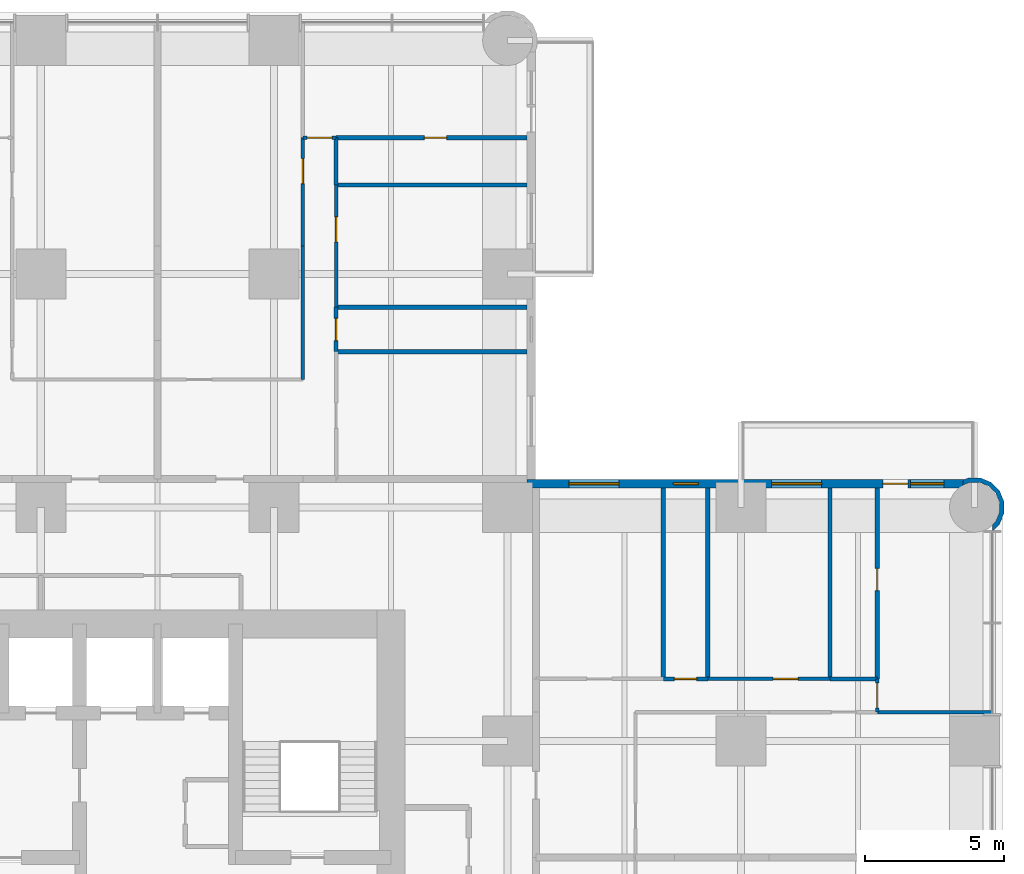
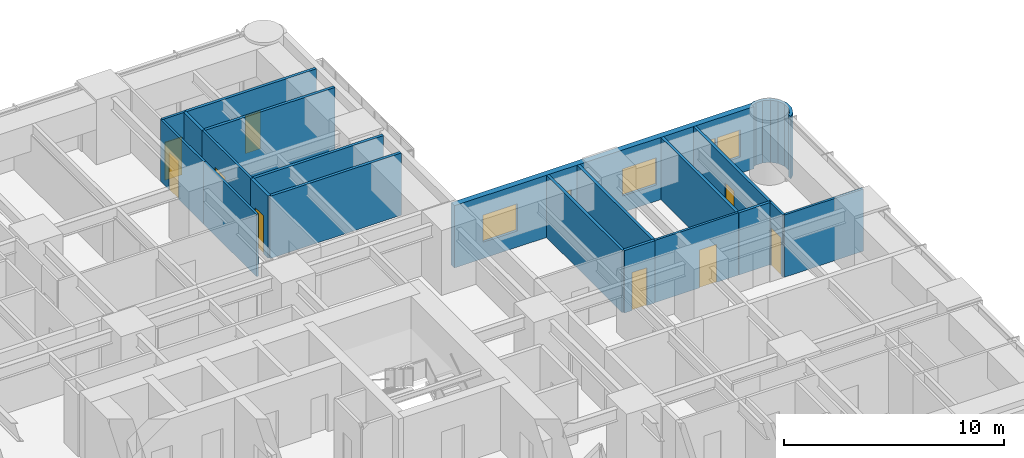
# One storey, part 14 of 17: 21 walls, 10 doors, 4 windows, 14 openings.
"""IFC4 building model written with IfcOpenShell, lengths in metres."""

from ifc_helpers import new_model, si_unit, direction, frame, frame_2d, origin, place, context, subcontext, project, spatial, polyline, rectangle, outline, extrude, material, layer, layer_set, type_object, element, fill, save


model = new_model("IFC4")

# Units and contexts
model_context = context("Model", 3, precision=1e-05, world=origin(), true_north=direction((0.0, 1.0)))
body_context = subcontext(model_context, "Body", "Model", "MODEL_VIEW")
ifc_project = project(units=[si_unit("LENGTHUNIT", "METRE"), si_unit("AREAUNIT", "SQUARE_METRE"), si_unit("VOLUMEUNIT", "CUBIC_METRE"), si_unit("PLANEANGLEUNIT", "RADIAN"), si_unit("MASSUNIT", "GRAM", prefix="KILO")], contexts=[model_context])

# Site, building, storey
site_placement = place(None, origin())
site = spatial("IfcSite", under=ifc_project, at=site_placement, CompositionType="ELEMENT")
building_placement = place(site_placement, origin())
building = spatial("IfcBuilding", under=site, at=building_placement, Name="Torre Alcanfor", CompositionType="ELEMENT")
storey_placement = place(building_placement, frame((0.0, 0.0, 81.300048828125)))
storey = spatial("IfcBuildingStorey", under=building, at=storey_placement, Name="L20", CompositionType="ELEMENT", Elevation=81.300048828125)

# Wall
ifc_material_1 = material(Name="Gypsum board on steel studs", Category="steel")
ifc_layer_1 = layer(ifc_material_1, 0.1201171875)
ifc_layer_set_1 = layer_set([ifc_layer_1], Name="Apartment partition 120")
wall_type_1 = type_object("IfcWallType", Name="Apartment partition 120", PredefinedType="PARTITIONING", material=ifc_layer_set_1)
wall_1_placement = place(storey_placement, frame((34.62890625, 51.39990234375, 0.0), z_axis=(0.0, 0.0, 1.0), x_axis=(0.0, -1.0, 0.0)))
element("IfcWall", 1, at=wall_1_placement, inside=storey, type_object=wall_type_1, Name="Partition L20-N2-KITCHEN / L20-N2-HALL", PredefinedType="PARTITIONING", context=body_context, shape_type="SweptSolid", body=[
    extrude(rectangle(XDim=4.7998046875, YDim=0.1201171875, at=frame_2d((2.39990234375, 0.0))), origin(), (0.0, 0.0, 1.0), 3.449951171875),
])

# Wall, opening, door
wall_2_placement = place(storey_placement, frame((34.62890625, 55.300048828125, 0.0), z_axis=(0.0, 0.0, 1.0), x_axis=(0.0, -1.0, 0.0)))
wall_2 = element("IfcWall", 2, at=wall_2_placement, inside=storey, type_object=wall_type_1, Name="Partition L20-N2-LIVING / L20-N2-HALL", PredefinedType="PARTITIONING", context=body_context, shape_type="SweptSolid", body=[
    extrude(rectangle(XDim=3.900146484375, YDim=0.1201171875, at=frame_2d((1.9501953125, 0.0))), origin(), (0.0, 0.0, 1.0), 3.449951171875),
])
opening_1_placement = place(wall_2_placement, frame((0.75, 0.0, 0.0)))
opening_1 = element("IfcOpeningElement", 3, at=opening_1_placement, cuts=wall_2, Name="Opening D-R1", PredefinedType="OPENING", context=body_context, shape_type="SweptSolid", body=[
    extrude(rectangle(XDim=0.89990234375, YDim=2.10009765625, at=frame_2d((0.449951171875, 1.050048828125))), frame((0.0, 0.070068359375, 0.0), z_axis=(0.0, -1.0, 0.0), x_axis=(1.0, 0.0, 0.0)), (0.0, 0.0, 1.0), 0.14013671875),
])
ifc_material_2 = material(Name="Timber", Category="wood")
door_type_1 = type_object("IfcDoorType", Name="Internal door 900x2100", OperationType="SINGLE_SWING_LEFT", PredefinedType="DOOR", material=ifc_material_2)
door_1_placement = place(opening_1_placement, frame((0.89990234375, 0.0, 0.0), z_axis=(0.0, 0.0, 1.0), x_axis=(-1.0, 0.0, 0.0)))
door_1 = element("IfcDoor", 4, at=door_1_placement, inside=storey, type_object=door_type_1, Name="Door L20-N2 living", OperationType="SINGLE_SWING_LEFT", OverallHeight=2.10009765625, OverallWidth=0.89990234375, PredefinedType="DOOR", context=body_context, shape_type="SweptSolid", body=[
    extrude(rectangle(XDim=0.89990234375, YDim=2.10009765625, at=frame_2d((0.449951171875, 1.050048828125))), frame((0.0, 0.025146484375, 0.0), z_axis=(0.0, -1.0, 0.0), x_axis=(1.0, 0.0, 0.0)), (0.0, 0.0, 1.0), 0.050048828125),
])
fill(opening_1, door_1)

wall_3_placement = place(storey_placement, frame((35.8291015625, 53.60009765625, 0.0), z_axis=(0.0, 0.0, 1.0), x_axis=(0.0, -1.0, 0.0)))
wall_3 = element("IfcWall", 5, at=wall_3_placement, inside=storey, type_object=wall_type_1, Name="Partition L20-N2-HALL / L20-N2-BED2", PredefinedType="PARTITIONING", context=body_context, shape_type="SweptSolid", body=[
    extrude(rectangle(XDim=4.400146484375, YDim=0.1201171875, at=frame_2d((2.2001953125, 0.0))), origin(), (0.0, 0.0, 1.0), 3.449951171875),
])
opening_2_placement = place(wall_3_placement, frame((1.14990234375, 0.0, 0.0)))
opening_2 = element("IfcOpeningElement", 6, at=opening_2_placement, cuts=wall_3, Name="Opening D-R1", PredefinedType="OPENING", context=body_context, shape_type="SweptSolid", body=[
    extrude(rectangle(XDim=0.89990234375, YDim=2.10009765625, at=frame_2d((0.449951171875, 1.050048828125))), frame((0.0, 0.070068359375, 0.0), z_axis=(0.0, -1.0, 0.0), x_axis=(1.0, 0.0, 0.0)), (0.0, 0.0, 1.0), 0.14013671875),
])
door_2_placement = place(opening_2_placement, origin())
door_2 = element("IfcDoor", 7, at=door_2_placement, inside=storey, type_object=door_type_1, Name="Door L20-N2 bed2", OperationType="SINGLE_SWING_LEFT", OverallHeight=2.10009765625, OverallWidth=0.89990234375, PredefinedType="DOOR", context=body_context, shape_type="SweptSolid", body=[
    extrude(rectangle(XDim=0.89990234375, YDim=2.10009765625, at=frame_2d((0.449951171875, 1.050048828125))), frame((0.0, 0.02490234375, 0.0), z_axis=(0.0, -1.0, 0.0), x_axis=(1.0, 0.0, 0.0)), (0.0, 0.0, 1.0), 0.050048828125),
])
fill(opening_2, door_2)

wall_4_placement = place(storey_placement, frame((34.62890625, 55.300048828125, 0.0), z_axis=(0.0, 0.0, 1.0), x_axis=(1.0, 0.0, 0.0)))
wall_4 = element("IfcWall", 8, at=wall_4_placement, inside=storey, type_object=wall_type_1, Name="Partition L20-N2-HALL / L20-N2-MASTER", PredefinedType="PARTITIONING", context=body_context, shape_type="SweptSolid", body=[
    extrude(rectangle(XDim=1.2001953125, YDim=0.1201171875, at=frame_2d((0.60009765625, 0.0))), origin(), (0.0, 0.0, 1.0), 3.449951171875),
])
opening_3_placement = place(wall_4_placement, frame((0.15087890625, 0.0, 0.0)))
opening_3 = element("IfcOpeningElement", 9, at=opening_3_placement, cuts=wall_4, Name="Opening D-R1", PredefinedType="OPENING", context=body_context, shape_type="SweptSolid", body=[
    extrude(rectangle(XDim=0.89990234375, YDim=2.10009765625, at=frame_2d((0.449951171875, 1.050048828125))), frame((0.0, 0.070068359375, 0.0), z_axis=(0.0, -1.0, 0.0), x_axis=(1.0, 0.0, 0.0)), (0.0, 0.0, 1.0), 0.14013671875),
])
door_3_placement = place(opening_3_placement, origin())
door_3 = element("IfcDoor", 10, at=door_3_placement, inside=storey, type_object=door_type_1, Name="Door L20-N2 master", OperationType="SINGLE_SWING_LEFT", OverallHeight=2.10009765625, OverallWidth=0.89990234375, PredefinedType="DOOR", context=body_context, shape_type="SweptSolid", body=[
    extrude(rectangle(XDim=0.89990234375, YDim=2.10009765625, at=frame_2d((0.449951171875, 1.050048828125))), frame((0.0, 0.02490234375, 0.0), z_axis=(0.0, -1.0, 0.0), x_axis=(1.0, 0.0, 0.0)), (0.0, 0.0, 1.0), 0.050048828125),
])
fill(opening_3, door_3)

# Wall
wall_5_placement = place(storey_placement, frame((59.449951171875, 34.62890625, 0.0), z_axis=(0.0, 0.0, 1.0), x_axis=(-1.0, 0.0, 0.0)))
element("IfcWall", 11, at=wall_5_placement, inside=storey, type_object=wall_type_1, Name="Partition L20-E1-LIVING / L20-E1-MASTER", PredefinedType="PARTITIONING", context=body_context, shape_type="SweptSolid", body=[
    extrude(rectangle(XDim=4.14990234375, YDim=0.1201171875, at=frame_2d((2.074951171875, 0.0))), origin(), (0.0, 0.0, 1.0), 3.449951171875),
])

# Wall, opening, door
wall_6_placement = place(storey_placement, frame((53.60009765625, 35.8291015625, 0.0), z_axis=(0.0, 0.0, 1.0), x_axis=(-1.0, 0.0, 0.0)))
wall_6 = element("IfcWall", 12, at=wall_6_placement, inside=storey, type_object=wall_type_1, Name="Partition L20-E1-HALL / L20-E1-BED2", PredefinedType="PARTITIONING", context=body_context, shape_type="SweptSolid", body=[
    extrude(rectangle(XDim=4.400146484375, YDim=0.1201171875, at=frame_2d((2.2001953125, 0.0))), origin(), (0.0, 0.0, 1.0), 3.449951171875),
])
opening_4_placement = place(wall_6_placement, frame((1.14990234375, 0.0, 0.0)))
opening_4 = element("IfcOpeningElement", 13, at=opening_4_placement, cuts=wall_6, Name="Opening D-R1", PredefinedType="OPENING", context=body_context, shape_type="SweptSolid", body=[
    extrude(rectangle(XDim=0.89990234375, YDim=2.10009765625, at=frame_2d((0.449951171875, 1.050048828125))), frame((0.0, 0.070068359375, 0.0), z_axis=(0.0, -1.0, 0.0), x_axis=(1.0, 0.0, 0.0)), (0.0, 0.0, 1.0), 0.14013671875),
])
door_4_placement = place(opening_4_placement, frame((0.89990234375, 0.0, 0.0), z_axis=(0.0, 0.0, 1.0), x_axis=(-1.0, 0.0, 0.0)))
door_4 = element("IfcDoor", 14, at=door_4_placement, inside=storey, type_object=door_type_1, Name="Door L20-E1 bed2", OperationType="SINGLE_SWING_RIGHT", OverallHeight=2.10009765625, OverallWidth=0.89990234375, PredefinedType="DOOR", context=body_context, shape_type="SweptSolid", body=[
    extrude(rectangle(XDim=0.89990234375, YDim=2.10009765625, at=frame_2d((0.449951171875, 1.050048828125))), frame((0.0, 0.025146484375, 0.0), z_axis=(0.0, -1.0, 0.0), x_axis=(1.0, 0.0, 0.0)), (0.0, 0.0, 1.0), 0.050048828125),
])
fill(opening_4, door_4)

wall_7_placement = place(storey_placement, frame((55.300048828125, 34.62890625, 0.0), z_axis=(0.0, 0.0, 1.0), x_axis=(0.0, 1.0, 0.0)))
wall_7 = element("IfcWall", 15, at=wall_7_placement, inside=storey, type_object=wall_type_1, Name="Partition L20-E1-HALL / L20-E1-MASTER", PredefinedType="PARTITIONING", context=body_context, shape_type="SweptSolid", body=[
    extrude(rectangle(XDim=1.2001953125, YDim=0.1201171875, at=frame_2d((0.60009765625, 0.0))), origin(), (0.0, 0.0, 1.0), 3.449951171875),
])
opening_5_placement = place(wall_7_placement, frame((0.15087890625, 0.0, 0.0)))
opening_5 = element("IfcOpeningElement", 16, at=opening_5_placement, cuts=wall_7, Name="Opening D-R1", PredefinedType="OPENING", context=body_context, shape_type="SweptSolid", body=[
    extrude(rectangle(XDim=0.89990234375, YDim=2.10009765625, at=frame_2d((0.449951171875, 1.050048828125))), frame((0.0, 0.070068359375, 0.0), z_axis=(0.0, -1.0, 0.0), x_axis=(1.0, 0.0, 0.0)), (0.0, 0.0, 1.0), 0.14013671875),
])
door_5_placement = place(opening_5_placement, frame((0.89990234375, 0.0, 0.0), z_axis=(0.0, 0.0, 1.0), x_axis=(-1.0, 0.0, 0.0)))
door_5 = element("IfcDoor", 17, at=door_5_placement, inside=storey, type_object=door_type_1, Name="Door L20-E1 master", OperationType="SINGLE_SWING_RIGHT", OverallHeight=2.10009765625, OverallWidth=0.89990234375, PredefinedType="DOOR", context=body_context, shape_type="SweptSolid", body=[
    extrude(rectangle(XDim=0.89990234375, YDim=2.10009765625, at=frame_2d((0.449951171875, 1.050048828125))), frame((0.0, 0.025146484375, 0.0), z_axis=(0.0, -1.0, 0.0), x_axis=(1.0, 0.0, 0.0)), (0.0, 0.0, 1.0), 0.050048828125),
])
fill(opening_5, door_5)

# Wall, openings, door, windows
ifc_material_3 = material(Name="Limestone cladding", Category="masonry")
ifc_layer_2 = layer(ifc_material_3, 0.0400390625, Name="Facing")
ifc_material_4 = material(Name="Ventilated air cavity")
ifc_layer_3 = layer(ifc_material_4, 0.02001953125, ventilated=True, Name="Ventilated joint")
ifc_material_5 = material(Name="Mineral wool insulation", Category="insulation")
ifc_layer_4 = layer(ifc_material_5, 0.10009765625, Name="Insulation")
ifc_material_6 = material(Name="Concrete f'c 35 MPa", Category="concrete")
ifc_layer_5 = layer(ifc_material_6, 0.139892578125, Name="Backing")
ifc_layer_set_2 = layer_set([ifc_layer_2, ifc_layer_3, ifc_layer_4, ifc_layer_5], Name="External wall stone-clad 300")
wall_type_2 = type_object("IfcWallType", Name="External wall stone-clad 300", PredefinedType="SOLIDWALL", material=ifc_layer_set_2)
wall_8_placement = place(storey_placement, frame((58.39990234375, 42.85009765625, 0.0), z_axis=(0.0, 0.0, 1.0), x_axis=(-1.0, 0.0, 0.0)))
wall_8 = element("IfcWall", 18, at=wall_8_placement, inside=storey, type_object=wall_type_2, Name="External wall L20 9", PredefinedType="SOLIDWALL", context=body_context, shape_type="SweptSolid", body=[
    extrude(rectangle(XDim=15.699951171875, YDim=0.300048828125, at=frame_2d((7.85009765625, 0.0))), origin(), (0.0, 0.0, 1.0), 3.449951171875),
])
opening_6_placement = place(wall_8_placement, frame((12.39990234375, 0.0, 0.89990234375)))
opening_6 = element("IfcOpeningElement", 19, at=opening_6_placement, cuts=wall_8, Name="Opening W2", PredefinedType="OPENING", context=body_context, shape_type="SweptSolid", body=[
    extrude(rectangle(XDim=1.800048828125, YDim=1.5, at=frame_2d((0.89990234375, 0.75))), frame((0.0, 0.159912109375, 0.0), z_axis=(0.0, -1.0, 0.0), x_axis=(1.0, 0.0, 0.0)), (0.0, 0.0, 1.0), 0.320068359375),
])
opening_7_placement = place(wall_8_placement, frame((9.550048828125, 0.0, 1.5)))
opening_7 = element("IfcOpeningElement", 20, at=opening_7_placement, cuts=wall_8, Name="Opening W3", PredefinedType="OPENING", context=body_context, shape_type="SweptSolid", body=[
    extrude(rectangle(XDim=0.89990234375, YDim=0.699951171875, at=frame_2d((0.449951171875, 0.35009765625))), frame((0.0, 0.159912109375, 0.0), z_axis=(0.0, -1.0, 0.0), x_axis=(1.0, 0.0, 0.0)), (0.0, 0.0, 1.0), 0.320068359375),
])
opening_8_placement = place(wall_8_placement, frame((5.10009765625, 0.0, 0.89990234375)))
opening_8 = element("IfcOpeningElement", 21, at=opening_8_placement, cuts=wall_8, Name="Opening W2", PredefinedType="OPENING", context=body_context, shape_type="SweptSolid", body=[
    extrude(rectangle(XDim=1.800048828125, YDim=1.5, at=frame_2d((0.89990234375, 0.75))), frame((0.0, 0.159912109375, 0.0), z_axis=(0.0, -1.0, 0.0), x_axis=(1.0, 0.0, 0.0)), (0.0, 0.0, 1.0), 0.320068359375),
])
opening_9_placement = place(wall_8_placement, frame((2.0, 0.0, 0.0)))
opening_9 = element("IfcOpeningElement", 22, at=opening_9_placement, cuts=wall_8, Name="Opening D-B1", PredefinedType="OPENING", context=body_context, shape_type="SweptSolid", body=[
    extrude(rectangle(XDim=0.89990234375, YDim=2.39990234375, at=frame_2d((0.449951171875, 1.199951171875))), frame((0.0, 0.159912109375, 0.0), z_axis=(0.0, -1.0, 0.0), x_axis=(1.0, 0.0, 0.0)), (0.0, 0.0, 1.0), 0.320068359375),
])
opening_10_placement = place(wall_8_placement, frame((0.699951171875, 0.0, 0.89990234375)))
opening_10 = element("IfcOpeningElement", 23, at=opening_10_placement, cuts=wall_8, Name="Opening W4", PredefinedType="OPENING", context=body_context, shape_type="SweptSolid", body=[
    extrude(rectangle(XDim=1.199951171875, YDim=1.5, at=frame_2d((0.60009765625, 0.75))), frame((0.0, 0.159912109375, 0.0), z_axis=(0.0, -1.0, 0.0), x_axis=(1.0, 0.0, 0.0)), (0.0, 0.0, 1.0), 0.320068359375),
])
ifc_material_7 = material(Name="Aluminium and glass", Category="aluminium")
door_type_2 = type_object("IfcDoorType", Name="Balcony door glazed 900x2400", OperationType="SINGLE_SWING_LEFT", PredefinedType="DOOR", material=ifc_material_7)
door_6_placement = place(opening_9_placement, origin())
door_6 = element("IfcDoor", 24, at=door_6_placement, inside=storey, type_object=door_type_2, Name="Balcony door L20-E1", OperationType="SINGLE_SWING_RIGHT", OverallHeight=2.39990234375, OverallWidth=0.89990234375, PredefinedType="DOOR", context=body_context, shape_type="SweptSolid", body=[
    extrude(rectangle(XDim=0.89990234375, YDim=2.39990234375, at=frame_2d((0.449951171875, 1.199951171875))), frame((0.0, 0.02490234375, 0.0), z_axis=(0.0, -1.0, 0.0), x_axis=(1.0, 0.0, 0.0)), (0.0, 0.0, 1.0), 0.050048828125),
])
fill(opening_9, door_6)
ifc_material_8 = material(Name="Aluminium frame with clear double glazing", Category="aluminium")
window_type_1 = type_object("IfcWindowType", Name="Window bathroom 900x700", PartitioningType="SINGLE_PANEL", PredefinedType="WINDOW", material=ifc_material_8)
window_1_placement = place(opening_7_placement, origin())
window_1 = element("IfcWindow", 25, at=window_1_placement, inside=storey, type_object=window_type_1, Name="Window W3 L20-E1", OverallHeight=0.699951171875, OverallWidth=0.89990234375, PartitioningType="SINGLE_PANEL", PredefinedType="WINDOW", context=body_context, shape_type="SweptSolid", body=[
    extrude(rectangle(XDim=0.89990234375, YDim=0.699951171875, at=frame_2d((0.449951171875, 0.35009765625))), frame((0.0, 0.030029296875, 0.0), z_axis=(0.0, -1.0, 0.0), x_axis=(1.0, 0.0, 0.0)), (0.0, 0.0, 1.0), 0.06005859375),
])
fill(opening_7, window_1)
ifc_material_9 = material(Name="Aluminium frame with clear double glazing", Category="aluminium")
window_type_2 = type_object("IfcWindowType", Name="Window bedroom 1200x1500", PartitioningType="SINGLE_PANEL", PredefinedType="WINDOW", material=ifc_material_9)
window_2_placement = place(opening_10_placement, origin())
window_2 = element("IfcWindow", 26, at=window_2_placement, inside=storey, type_object=window_type_2, Name="Window W4 L20-E1", OverallHeight=1.5, OverallWidth=1.199951171875, PartitioningType="SINGLE_PANEL", PredefinedType="WINDOW", context=body_context, shape_type="SweptSolid", body=[
    extrude(rectangle(XDim=1.199951171875, YDim=1.5, at=frame_2d((0.60009765625, 0.75))), frame((0.0, 0.030029296875, 0.0), z_axis=(0.0, -1.0, 0.0), x_axis=(1.0, 0.0, 0.0)), (0.0, 0.0, 1.0), 0.06005859375),
])
fill(opening_10, window_2)
ifc_material_10 = material(Name="Aluminium frame with clear double glazing", Category="aluminium")
window_type_3 = type_object("IfcWindowType", Name="Window bedroom 1800x1500", PartitioningType="SINGLE_PANEL", PredefinedType="WINDOW", material=ifc_material_10)
window_3_placement = place(opening_6_placement, origin())
window_3 = element("IfcWindow", 27, at=window_3_placement, inside=storey, type_object=window_type_3, Name="Window W2 L20-E1", OverallHeight=1.5, OverallWidth=1.800048828125, PartitioningType="SINGLE_PANEL", PredefinedType="WINDOW", context=body_context, shape_type="SweptSolid", body=[
    extrude(rectangle(XDim=1.800048828125, YDim=1.5, at=frame_2d((0.89990234375, 0.75))), frame((0.0, 0.030029296875, 0.0), z_axis=(0.0, -1.0, 0.0), x_axis=(1.0, 0.0, 0.0)), (0.0, 0.0, 1.0), 0.06005859375),
])
fill(opening_6, window_3)
window_4_placement = place(opening_8_placement, origin())
window_4 = element("IfcWindow", 28, at=window_4_placement, inside=storey, type_object=window_type_3, Name="Window W2 L20-E1", OverallHeight=1.5, OverallWidth=1.800048828125, PartitioningType="SINGLE_PANEL", PredefinedType="WINDOW", context=body_context, shape_type="SweptSolid", body=[
    extrude(rectangle(XDim=1.800048828125, YDim=1.5, at=frame_2d((0.89990234375, 0.75))), frame((0.0, 0.030029296875, 0.0), z_axis=(0.0, -1.0, 0.0), x_axis=(1.0, 0.0, 0.0)), (0.0, 0.0, 1.0), 0.06005859375),
])
fill(opening_8, window_4)

# Wall
ifc_layer_6 = layer(ifc_material_3, 0.0400390625, Name="Facing")
ifc_layer_7 = layer(ifc_material_4, 0.02001953125, ventilated=True, Name="Ventilated joint")
ifc_layer_8 = layer(ifc_material_5, 0.10009765625, Name="Insulation")
ifc_layer_9 = layer(ifc_material_6, 0.139892578125, Name="Backing")
ifc_layer_set_3 = layer_set([ifc_layer_6, ifc_layer_7, ifc_layer_8, ifc_layer_9], Name="Rounded corner pier stone-clad 300")
wall_type_3 = type_object("IfcWallType", Name="Rounded corner pier stone-clad 300", PredefinedType="SOLIDWALL", material=ifc_layer_set_3)
wall_9_placement = place(storey_placement, frame((59.410519256, 41.23340608, 0.0), z_axis=(0.0, 0.0, 1.0), x_axis=(0.926129809145, 0.377204953059, 0.0)))
element("IfcWall", 29, at=wall_9_placement, inside=storey, type_object=wall_type_3, Name="Corner pier L20 18", PredefinedType="SOLIDWALL", context=body_context, shape_type="SweptSolid", body=[
    extrude(outline(polyline([(0.6260654471319579, 0.34524919711057256), (0.7850146045978224, 0.7355079985228963), (0.7823098124660501, 1.1573373086599013), (0.6187697625812524, 1.546081906916958), (0.31877691555394516, 1.8425152342918512), (-0.07170799176881437, 2.0015564828107086), (-0.24004949470661174, 2.000526523212158), (-0.2695944713928893, 2.0173049949130335), (-0.36998902843916337, 1.8407134525266757), (-0.10235758996356603, 1.8421635923174307), (0.22956588655630128, 1.7069739265237522), (0.4845024203782949, 1.4552530429107593), (0.6236098424040335, 1.1249645948716174), (0.6257138051575375, 0.7663837026280839), (0.49052413936385914, 0.43446022610821644), (0.23848505878743742, 0.1793896774287799), (0.09020527382959523, 0.11693875386038477), (0.010914877202648991, -0.0777384350249053), (0.02448123182880161, -0.08326389820448342), (0.32940601384662893, 0.045348441136258355), (0.47997135267738844, 0.19755163478368112), (0.49907282709518125, 0.19267151555903828), (0.5076193949673722, 0.22530566424262682), (0.6260654471319579, 0.34524919711057256)])), origin(), (0.0, 0.0, 1.0), 3.449951171875),
])

# Wall, opening, door
ifc_material_11 = material(Name="Cement board on steel studs", Category="steel")
ifc_layer_10 = layer(ifc_material_11, 0.14990234375)
ifc_layer_set_4 = layer_set([ifc_layer_10], Name="Wet area partition 150")
wall_type_4 = type_object("IfcWallType", Name="Wet area partition 150", PredefinedType="PARTITIONING", material=ifc_layer_set_4)
wall_10_placement = place(storey_placement, frame((35.8291015625, 49.199951171875, 0.0), z_axis=(0.0, 0.0, 1.0), x_axis=(0.0, -1.0, 0.0)))
wall_10 = element("IfcWall", 30, at=wall_10_placement, inside=storey, type_object=wall_type_4, Name="Partition L20-N2-HALL / L20-N2-BATH1", PredefinedType="PARTITIONING", context=body_context, shape_type="SweptSolid", body=[
    extrude(rectangle(XDim=1.599853515625, YDim=0.14990234375, at=frame_2d((0.7998046875, 0.0))), origin(), (0.0, 0.0, 1.0), 3.449951171875),
])
opening_11_placement = place(wall_10_placement, frame((0.39990234375, 0.0, 0.0)))
opening_11 = element("IfcOpeningElement", 31, at=opening_11_placement, cuts=wall_10, Name="Opening D-R2", PredefinedType="OPENING", context=body_context, shape_type="SweptSolid", body=[
    extrude(rectangle(XDim=0.800048828125, YDim=2.10009765625, at=frame_2d((0.39990234375, 1.050048828125))), frame((0.0, 0.0849609375, 0.0), z_axis=(0.0, -1.0, 0.0), x_axis=(1.0, 0.0, 0.0)), (0.0, 0.0, 1.0), 0.169921875),
])
ifc_material_12 = material(Name="Timber", Category="wood")
door_type_3 = type_object("IfcDoorType", Name="Bathroom door 800x2100", OperationType="SINGLE_SWING_LEFT", PredefinedType="DOOR", material=ifc_material_12)
door_7_placement = place(opening_11_placement, origin())
door_7 = element("IfcDoor", 32, at=door_7_placement, inside=storey, type_object=door_type_3, Name="Door L20-N2 bath1", OperationType="SINGLE_SWING_LEFT", OverallHeight=2.10009765625, OverallWidth=0.800048828125, PredefinedType="DOOR", context=body_context, shape_type="SweptSolid", body=[
    extrude(rectangle(XDim=0.800048828125, YDim=2.10009765625, at=frame_2d((0.39990234375, 1.050048828125))), frame((0.0, 0.02490234375, 0.0), z_axis=(0.0, -1.0, 0.0), x_axis=(1.0, 0.0, 0.0)), (0.0, 0.0, 1.0), 0.050048828125),
])
fill(opening_11, door_7)

# Walls
wall_11_placement = place(storey_placement, frame((35.8291015625, 55.300048828125, 0.0), z_axis=(0.0, 0.0, 1.0), x_axis=(0.0, -1.0, 0.0)))
element("IfcWall", 33, at=wall_11_placement, inside=storey, type_object=wall_type_4, Name="Partition L20-N2-HALL / L20-N2-ENSBATH", PredefinedType="PARTITIONING", context=body_context, shape_type="SweptSolid", body=[
    extrude(rectangle(XDim=1.699951171875, YDim=0.14990234375, at=frame_2d((0.85009765625, 0.0))), origin(), (0.0, 0.0, 1.0), 3.449951171875),
])
for number, where, z_axis, x_axis, name in (
    (34, (35.8291015625, 47.60009765625, 0.0), (0.0, 0.0, 1.0), (1.0, 0.0, 0.0), "Partition L20-N2-BED3 / L20-N2-BATH1"),
    (35, (35.8291015625, 49.199951171875, 0.0), (0.0, 0.0, 1.0), (1.0, 0.0, 0.0), "Partition L20-N2-BATH1 / L20-N2-BED2"),
    (36, (35.8291015625, 53.60009765625, 0.0), (0.0, 0.0, 1.0), (1.0, 0.0, 0.0), "Partition L20-N2-BED2 / L20-N2-ENSBATH"),
):
    element("IfcWall", number, at=place(storey_placement, frame(where, z_axis=z_axis, x_axis=x_axis)), inside=storey, type_object=wall_type_4, Name=name, PredefinedType="PARTITIONING", context=body_context, shape_type="SweptSolid", body=[
        extrude(rectangle(XDim=6.870849609375, YDim=0.14990234375, at=frame_2d((3.435546875, 0.0))), origin(), (0.0, 0.0, 1.0), 3.449951171875),
    ])

# Wall, opening, door
wall_12_placement = place(storey_placement, frame((35.8291015625, 55.300048828125, 0.0), z_axis=(0.0, 0.0, 1.0), x_axis=(1.0, 0.0, 0.0)))
wall_12 = element("IfcWall", 37, at=wall_12_placement, inside=storey, type_object=wall_type_4, Name="Partition L20-N2-ENSBATH / L20-N2-MASTER", PredefinedType="PARTITIONING", context=body_context, shape_type="SweptSolid", body=[
    extrude(rectangle(XDim=6.870849609375, YDim=0.14990234375, at=frame_2d((3.435546875, 0.0))), origin(), (0.0, 0.0, 1.0), 3.449951171875),
])
opening_12_placement = place(wall_12_placement, frame((3.1708984375, 0.0, 0.0)))
opening_12 = element("IfcOpeningElement", 38, at=opening_12_placement, cuts=wall_12, Name="Opening D-R2", PredefinedType="OPENING", context=body_context, shape_type="SweptSolid", body=[
    extrude(rectangle(XDim=0.800048828125, YDim=2.10009765625, at=frame_2d((0.39990234375, 1.050048828125))), frame((0.0, 0.0849609375, 0.0), z_axis=(0.0, -1.0, 0.0), x_axis=(1.0, 0.0, 0.0)), (0.0, 0.0, 1.0), 0.169921875),
])
door_8_placement = place(opening_12_placement, frame((0.800048828125, 0.0, 0.0), z_axis=(0.0, 0.0, 1.0), x_axis=(-1.0, 0.0, 0.0)))
door_8 = element("IfcDoor", 39, at=door_8_placement, inside=storey, type_object=door_type_3, Name="Door L20-N2 ensbath", OperationType="SINGLE_SWING_LEFT", OverallHeight=2.10009765625, OverallWidth=0.800048828125, PredefinedType="DOOR", context=body_context, shape_type="SweptSolid", body=[
    extrude(rectangle(XDim=0.800048828125, YDim=2.10009765625, at=frame_2d((0.400146484375, 1.050048828125))), frame((0.0, 0.025146484375, 0.0), z_axis=(0.0, -1.0, 0.0), x_axis=(1.0, 0.0, 0.0)), (0.0, 0.0, 1.0), 0.050048828125),
])
fill(opening_12, door_8)

wall_13_placement = place(storey_placement, frame((49.199951171875, 35.8291015625, 0.0), z_axis=(0.0, 0.0, 1.0), x_axis=(-1.0, 0.0, 0.0)))
wall_13 = element("IfcWall", 40, at=wall_13_placement, inside=storey, type_object=wall_type_4, Name="Partition L20-E1-HALL / L20-E1-BATH1", PredefinedType="PARTITIONING", context=body_context, shape_type="SweptSolid", body=[
    extrude(rectangle(XDim=1.599853515625, YDim=0.14990234375, at=frame_2d((0.7998046875, 0.0))), origin(), (0.0, 0.0, 1.0), 3.449951171875),
])
opening_13_placement = place(wall_13_placement, frame((0.39990234375, 0.0, 0.0)))
opening_13 = element("IfcOpeningElement", 41, at=opening_13_placement, cuts=wall_13, Name="Opening D-R2", PredefinedType="OPENING", context=body_context, shape_type="SweptSolid", body=[
    extrude(rectangle(XDim=0.800048828125, YDim=2.10009765625, at=frame_2d((0.39990234375, 1.050048828125))), frame((0.0, 0.0849609375, 0.0), z_axis=(0.0, -1.0, 0.0), x_axis=(1.0, 0.0, 0.0)), (0.0, 0.0, 1.0), 0.169921875),
])
door_9_placement = place(opening_13_placement, frame((0.800048828125, 0.0, 0.0), z_axis=(0.0, 0.0, 1.0), x_axis=(-1.0, 0.0, 0.0)))
door_9 = element("IfcDoor", 42, at=door_9_placement, inside=storey, type_object=door_type_3, Name="Door L20-E1 bath1", OperationType="SINGLE_SWING_RIGHT", OverallHeight=2.10009765625, OverallWidth=0.800048828125, PredefinedType="DOOR", context=body_context, shape_type="SweptSolid", body=[
    extrude(rectangle(XDim=0.800048828125, YDim=2.10009765625, at=frame_2d((0.400146484375, 1.050048828125))), frame((0.0, 0.025146484375, 0.0), z_axis=(0.0, -1.0, 0.0), x_axis=(1.0, 0.0, 0.0)), (0.0, 0.0, 1.0), 0.050048828125),
])
fill(opening_13, door_9)

# Walls
wall_14_placement = place(storey_placement, frame((55.300048828125, 35.8291015625, 0.0), z_axis=(0.0, 0.0, 1.0), x_axis=(-1.0, 0.0, 0.0)))
element("IfcWall", 43, at=wall_14_placement, inside=storey, type_object=wall_type_4, Name="Partition L20-E1-HALL / L20-E1-ENSBATH", PredefinedType="PARTITIONING", context=body_context, shape_type="SweptSolid", body=[
    extrude(rectangle(XDim=1.699951171875, YDim=0.14990234375, at=frame_2d((0.85009765625, 0.0))), origin(), (0.0, 0.0, 1.0), 3.449951171875),
])
for number, where, z_axis, x_axis, name in (
    (44, (47.60009765625, 35.8291015625, 0.0), (0.0, 0.0, 1.0), (0.0, 1.0, 0.0), "Partition L20-E1-BED3 / L20-E1-BATH1"),
    (45, (49.199951171875, 35.8291015625, 0.0), (0.0, 0.0, 1.0), (0.0, 1.0, 0.0), "Partition L20-E1-BATH1 / L20-E1-BED2"),
    (46, (53.60009765625, 35.8291015625, 0.0), (0.0, 0.0, 1.0), (0.0, 1.0, 0.0), "Partition L20-E1-BED2 / L20-E1-ENSBATH"),
):
    element("IfcWall", number, at=place(storey_placement, frame(where, z_axis=z_axis, x_axis=x_axis)), inside=storey, type_object=wall_type_4, Name=name, PredefinedType="PARTITIONING", context=body_context, shape_type="SweptSolid", body=[
        extrude(rectangle(XDim=6.870849609375, YDim=0.14990234375, at=frame_2d((3.435546875, 0.0))), origin(), (0.0, 0.0, 1.0), 3.449951171875),
    ])

# Wall, opening, door
wall_15_placement = place(storey_placement, frame((55.300048828125, 35.8291015625, 0.0), z_axis=(0.0, 0.0, 1.0), x_axis=(0.0, 1.0, 0.0)))
wall_15 = element("IfcWall", 47, at=wall_15_placement, inside=storey, type_object=wall_type_4, Name="Partition L20-E1-ENSBATH / L20-E1-MASTER", PredefinedType="PARTITIONING", context=body_context, shape_type="SweptSolid", body=[
    extrude(rectangle(XDim=6.870849609375, YDim=0.14990234375, at=frame_2d((3.435546875, 0.0))), origin(), (0.0, 0.0, 1.0), 3.449951171875),
])
opening_14_placement = place(wall_15_placement, frame((3.1708984375, 0.0, 0.0)))
opening_14 = element("IfcOpeningElement", 48, at=opening_14_placement, cuts=wall_15, Name="Opening D-R2", PredefinedType="OPENING", context=body_context, shape_type="SweptSolid", body=[
    extrude(rectangle(XDim=0.800048828125, YDim=2.10009765625, at=frame_2d((0.39990234375, 1.050048828125))), frame((0.0, 0.0849609375, 0.0), z_axis=(0.0, -1.0, 0.0), x_axis=(1.0, 0.0, 0.0)), (0.0, 0.0, 1.0), 0.169921875),
])
door_10_placement = place(opening_14_placement, origin())
door_10 = element("IfcDoor", 49, at=door_10_placement, inside=storey, type_object=door_type_3, Name="Door L20-E1 ensbath", OperationType="SINGLE_SWING_RIGHT", OverallHeight=2.10009765625, OverallWidth=0.800048828125, PredefinedType="DOOR", context=body_context, shape_type="SweptSolid", body=[
    extrude(rectangle(XDim=0.800048828125, YDim=2.10009765625, at=frame_2d((0.39990234375, 1.050048828125))), frame((0.0, 0.02490234375, 0.0), z_axis=(0.0, -1.0, 0.0), x_axis=(1.0, 0.0, 0.0)), (0.0, 0.0, 1.0), 0.050048828125),
])
fill(opening_14, door_10)

save(model, "model.ifc")
